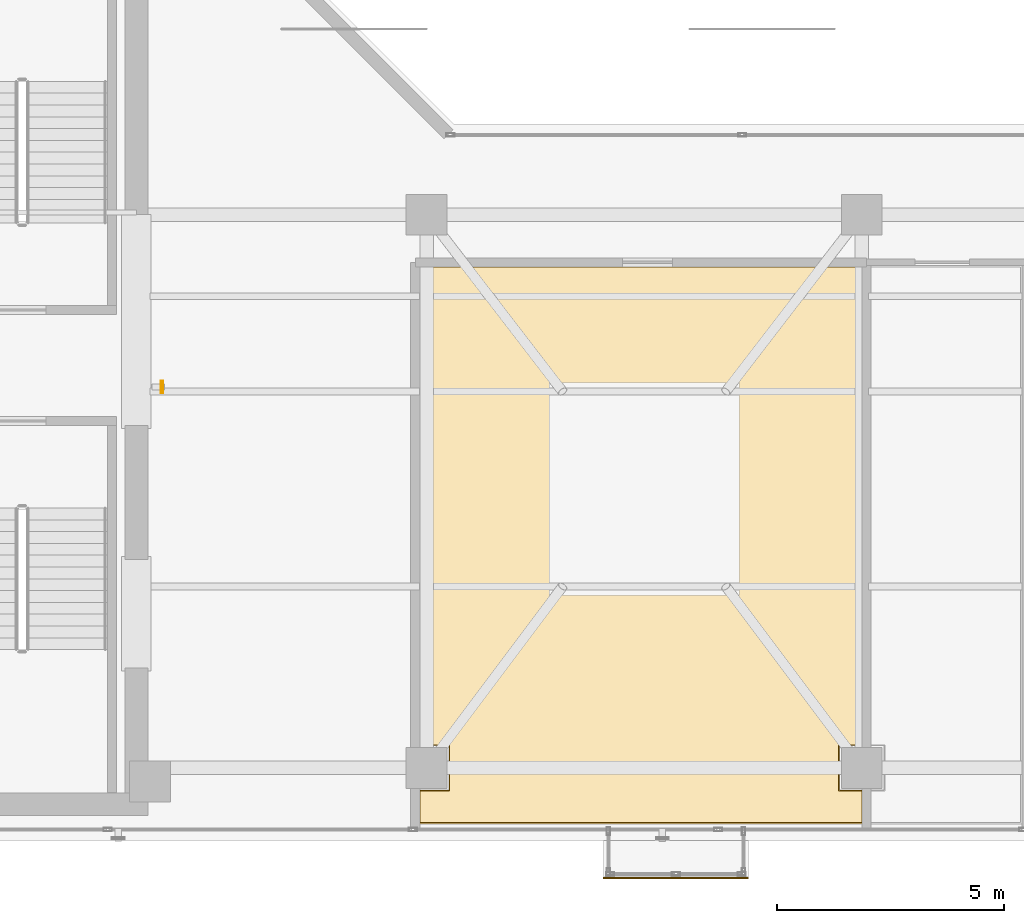
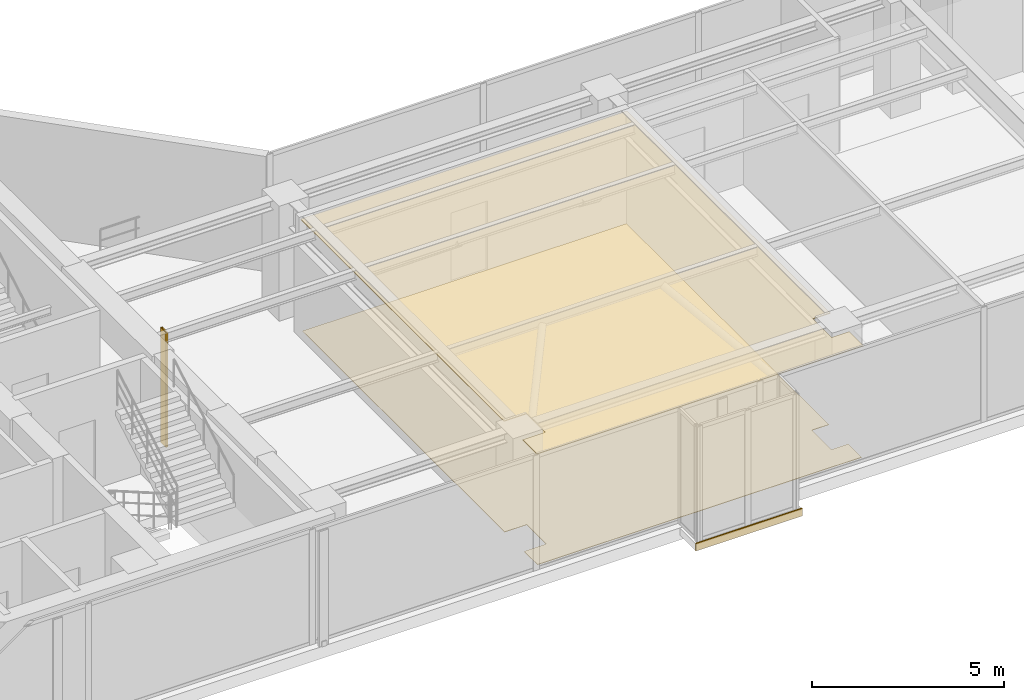
# One storey, part 28 of 31: 3 coverings, 1 shading device.
"""IFC4 building model written with IfcOpenShell, lengths in metres."""

from ifc_helpers import new_model, si_unit, direction, frame, origin, origin_2d, place, context, subcontext, project, spatial, polyline, rectangle, hollow_rectangle, outline, extrude, material, layer, layer_set, material_profile, profile_set, type_object, element, save


model = new_model("IFC4")

# Units and contexts
model_context = context("Model", 3, precision=1e-05, world=origin(), true_north=direction((0.0, 1.0)))
body_context = subcontext(model_context, "Body", "Model", "MODEL_VIEW")
ifc_project = project(units=[si_unit("LENGTHUNIT", "METRE"), si_unit("AREAUNIT", "SQUARE_METRE"), si_unit("VOLUMEUNIT", "CUBIC_METRE"), si_unit("PLANEANGLEUNIT", "RADIAN"), si_unit("MASSUNIT", "GRAM", prefix="KILO")], contexts=[model_context])

# Site, building, storey
site_placement = place(None, origin())
site = spatial("IfcSite", under=ifc_project, at=site_placement, CompositionType="ELEMENT")
building_placement = place(site_placement, origin())
building = spatial("IfcBuilding", under=site, at=building_placement, Name="Kolvaren Waterfront Exchange", CompositionType="ELEMENT")
storey_placement = place(building_placement, frame((0.0, 0.0, 344.199951171875)))
storey = spatial("IfcBuildingStorey", under=building, at=storey_placement, Name="L88", CompositionType="ELEMENT", Elevation=344.199951171875)

# Coverings
ifc_material_1 = material(Name="Mineral fibre acoustic ceiling tile")
ifc_layer_1 = layer(ifc_material_1, 0.02490234375, Name="Mineral fibre acoustic ceiling tile")
ifc_layer_set_1 = layer_set([ifc_layer_1], Name="Mineral fibre acoustic ceiling tile")
covering_type_1 = type_object("IfcCoveringType", Name="ARC-CEIL-ACOUSTIC-25", PredefinedType="CEILING", material=ifc_layer_set_1)
covering_1_placement = place(storey_placement, frame((0.0, 0.0, 3.545166015625)))
element("IfcCovering", 1, at=covering_1_placement, inside=storey, type_object=covering_type_1, Name="L88 acoustic suspended ceiling 1", PredefinedType="CEILING", context=body_context, shape_type="SweptSolid", body=[
    extrude(outline(polyline([(27.014892578125, 5.68994140625), (27.68994140625, 5.68994140625), (27.68994140625, 4.7099609375), (27.014892578125, 4.7099609375), (27.014892578125, 3.965087890625), (36.8349609375, 3.965087890625), (36.8349609375, 4.7099609375), (36.31005859375, 4.7099609375), (36.31005859375, 5.68994140625), (36.8349609375, 5.68994140625), (36.8349609375, 16.284912109375), (27.014892578125, 16.284912109375), (27.014892578125, 5.68994140625)])), origin(), (0.0, 0.0, 1.0), 0.02490234375),
])
ifc_material_2 = material(Name="Anodised bronze fascia aluminium", Category="aluminium")
ifc_layer_2 = layer(ifc_material_2, 0.034912109375, Name="Anodised bronze fascia aluminium")
ifc_layer_set_2 = layer_set([ifc_layer_2], Name="Anodised bronze fascia aluminium")
covering_type_2 = type_object("IfcCoveringType", Name="ARC-CLAD-BRONZE-35", PredefinedType="CLADDING", material=ifc_layer_set_2)
covering_2_placement = place(storey_placement, frame((32.699951171875, 2.77001953125, -0.2197265625), z_axis=(0.0, 0.0, 1.0), x_axis=(1.0, 0.0, 0.0)))
element("IfcCovering", 2, at=covering_2_placement, inside=storey, type_object=covering_type_2, Name="L88 ribbed anodised bronze bay-box fascia", PredefinedType="CLADDING", context=body_context, shape_type="SweptSolid", body=[
    extrude(rectangle(XDim=3.199951171875, YDim=0.034912109375, at=origin_2d()), origin(), (0.0, 0.0, 1.0), 0.239990234375),
])

# Shading device
ifc_material_3 = material(Name="Anodised bronze aluminium 6063-T6", Category="aluminium")
ifc_material_profile = material_profile(ifc_material_3, hollow_rectangle(XDim=0.054931640625, YDim=0.280029296875, WallThickness=0.00439453125, at=origin_2d()), Name="BRZ-FIN-280x55x4.5")
ifc_profile_set = profile_set([ifc_material_profile], Name="Anodised bronze aluminium 6063-T6")
shading_device_type = type_object("IfcShadingDeviceType", Name="ARC-FIN-280", PredefinedType="USERDEFINED", material=ifc_profile_set)
shading_device_placement = place(storey_placement, frame((21.360107421875, 13.60009765625, 0.0), z_axis=(0.0, 0.0, 1.0), x_axis=(1.0, 0.0, 0.0)))
element("IfcShadingDevice", 3, at=shading_device_placement, inside=storey, type_object=shading_device_type, Name="L88 anodised bronze solar shading fin FIN-L88-E1", ObjectType="SOLAR FIN", PredefinedType="USERDEFINED", context=body_context, shape_type="SweptSolid", body=[
    extrude(hollow_rectangle(XDim=0.054931640625, YDim=0.280029296875, WallThickness=0.00439453125, at=origin_2d()), origin(), (0.0, 0.0, 1.0), 3.66015625),
])

# Covering
ifc_material_4 = material(Name="Slip-resistant porcelain tile")
ifc_layer_3 = layer(ifc_material_4, 0.014892578125, Name="Slip-resistant porcelain tile")
ifc_layer_set_3 = layer_set([ifc_layer_3], Name="Slip-resistant porcelain tile")
covering_type_3 = type_object("IfcCoveringType", Name="ARC-FLR-PORC-15", PredefinedType="FLOORING", material=ifc_layer_set_3)
covering_3_placement = place(storey_placement, origin())
element("IfcCovering", 4, at=covering_3_placement, inside=storey, type_object=covering_type_3, Name="L88 floor finish 1", PredefinedType="FLOORING", context=body_context, shape_type="SweptSolid", body=[
    extrude(outline(polyline([(27.050048828125, 4.68994140625), (27.050048828125, 4.0), (36.800048828125, 4.0), (36.800048828125, 4.68994140625), (36.2900390625, 4.68994140625), (36.2900390625, 5.7099609375), (36.800048828125, 5.7099609375), (36.800048828125, 16.25), (27.050048828125, 16.25), (27.050048828125, 5.7099609375), (27.7099609375, 5.7099609375), (27.7099609375, 4.68994140625), (27.050048828125, 4.68994140625)])), origin(), (0.0, 0.0, 1.0), 0.01513671875),
])

save(model, "model.ifc")
